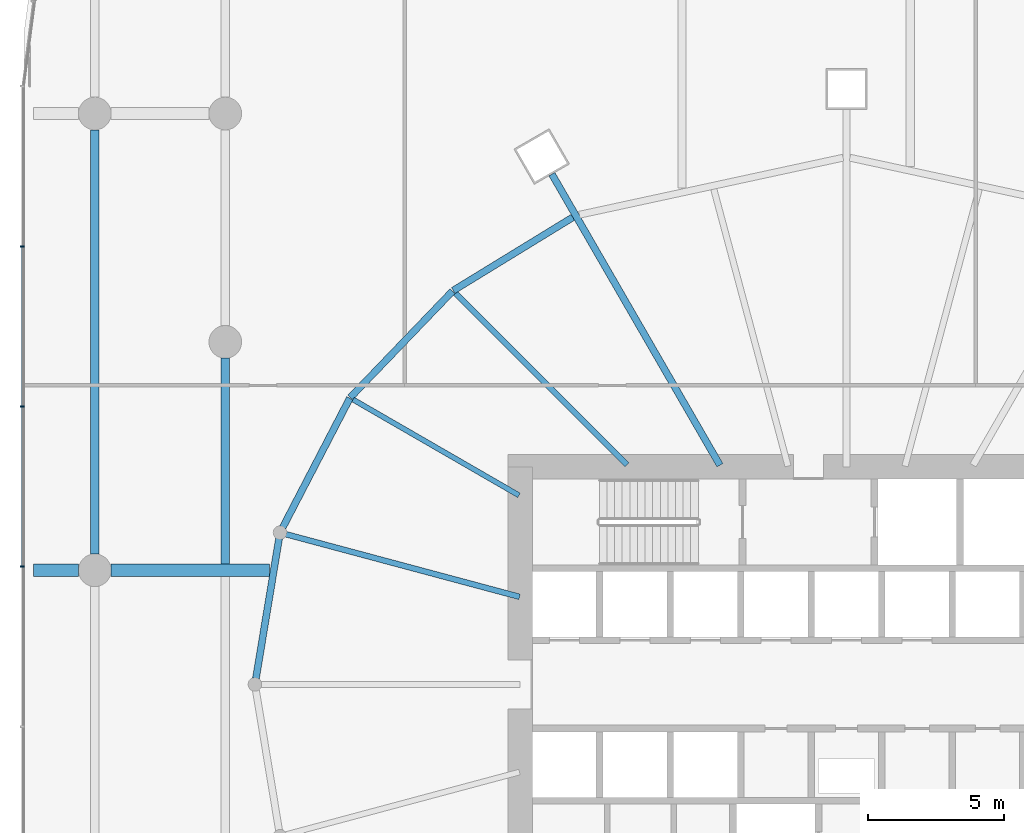
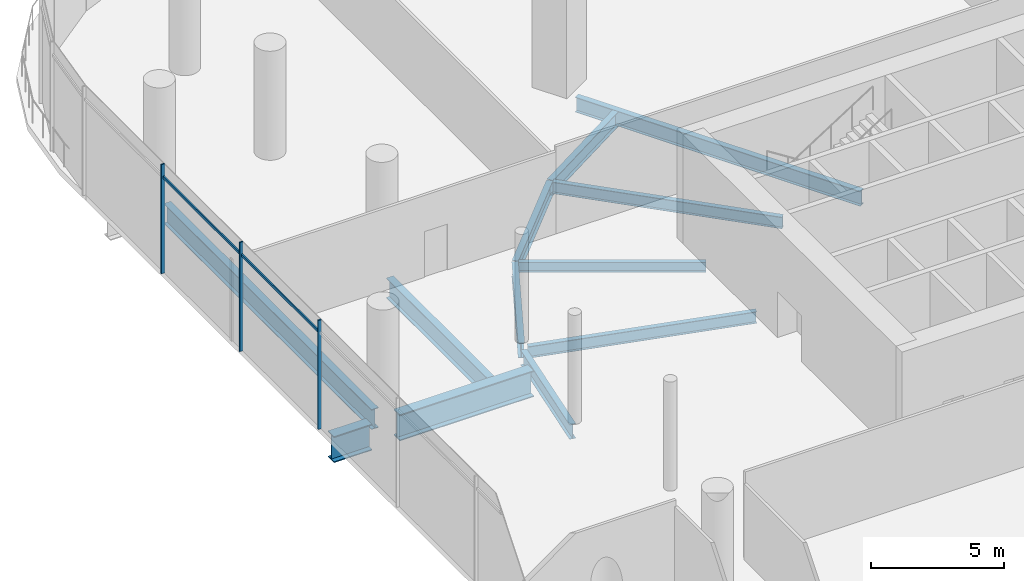
# One storey, part 11 of 51: 12 beams, 5 members, 1 element without a shape of its own.
"""IFC4 building model written with IfcOpenShell, lengths in metres."""

from ifc_helpers import new_model, si_unit, direction, frame, origin, origin_2d, place, context, subcontext, project, spatial, rectangle, i_section, extrude, material, material_profile, profile_set, type_object, element, aggregate, save


model = new_model("IFC4")

# Units and contexts
model_context = context("Model", 3, precision=1e-05, world=origin(), true_north=direction((0.0, 1.0)))
body_context = subcontext(model_context, "Body", "Model", "MODEL_VIEW")
ifc_project = project(units=[si_unit("LENGTHUNIT", "METRE"), si_unit("AREAUNIT", "SQUARE_METRE"), si_unit("VOLUMEUNIT", "CUBIC_METRE"), si_unit("PLANEANGLEUNIT", "RADIAN"), si_unit("MASSUNIT", "GRAM", prefix="KILO")], contexts=[model_context])

# Site, building, storey
site_placement = place(None, origin())
site = spatial("IfcSite", under=ifc_project, at=site_placement, CompositionType="ELEMENT")
building_placement = place(site_placement, origin())
building = spatial("IfcBuilding", under=site, at=building_placement, Name="Rimbun Link Towers", CompositionType="ELEMENT")
storey_placement = place(building_placement, frame((0.0, 0.0, 7.0)))
storey = spatial("IfcBuildingStorey", under=building, at=storey_placement, Name="L01", CompositionType="ELEMENT", Elevation=7.0)

# Curtain wall, members
ifc_material_1 = material(Name="Aluminium 6063-T6 and low-iron glass", Category="aluminium")
curtain_wall_type = type_object("IfcCurtainWallType", Name="CW3 podium shopfront", PredefinedType="NOTDEFINED", material=ifc_material_1)
curtain_wall_placement = place(storey_placement, origin())
curtain_wall = element("IfcCurtainWall", 1, at=curtain_wall_placement, inside=storey, type_object=curtain_wall_type, Name="CW3 L01 PD", PredefinedType="NOTDEFINED")
ifc_material_2 = material(Name="Aluminium 6063-T6", Category="aluminium")
ifc_material_profile_1 = material_profile(ifc_material_2, rectangle(XDim=0.14990234375, YDim=0.06005859375, at=origin_2d()), Name="MULLION 60X150")
ifc_profile_set_1 = profile_set([ifc_material_profile_1], Name="Aluminium 6063-T6")
member_type_1 = type_object("IfcMemberType", Name="CW3 mullion 60X150", PredefinedType="MULLION", material=ifc_profile_set_1)
member_1_placement = place(storey_placement, frame((-62.074951171875, 16.111083984375, 0.0), z_axis=(0.0, 0.0, 1.0), x_axis=(-1.0, 0.0, 0.0)))
member_1 = element("IfcMember", 2, at=member_1_placement, type_object=member_type_1, Name="CW3 mullion", PredefinedType="MULLION", context=body_context, shape_type="SweptSolid", body=[
    extrude(rectangle(XDim=0.14990234375, YDim=0.06005859375, at=origin_2d()), origin(), (0.0, 0.0, 1.0), 5.0),
])
member_2_placement = place(storey_placement, frame((-62.074951171875, 10.22216796875, 0.0), z_axis=(0.0, 0.0, 1.0), x_axis=(-1.0, 0.0, 0.0)))
member_2 = element("IfcMember", 3, at=member_2_placement, type_object=member_type_1, Name="CW3 mullion", PredefinedType="MULLION", context=body_context, shape_type="SweptSolid", body=[
    extrude(rectangle(XDim=0.14990234375, YDim=0.06005859375, at=origin_2d()), origin(), (0.0, 0.0, 1.0), 5.0),
])
member_3_placement = place(storey_placement, frame((-62.074951171875, 4.333251953125, 0.0), z_axis=(0.0, 0.0, 1.0), x_axis=(-1.0, 0.0, 0.0)))
member_3 = element("IfcMember", 4, at=member_3_placement, type_object=member_type_1, Name="CW3 mullion", PredefinedType="MULLION", context=body_context, shape_type="SweptSolid", body=[
    extrude(rectangle(XDim=0.14990234375, YDim=0.06005859375, at=origin_2d()), origin(), (0.0, 0.0, 1.0), 5.0),
])
ifc_material_3 = material(Name="Aluminium 6063-T6", Category="aluminium")
ifc_material_profile_2 = material_profile(ifc_material_3, rectangle(XDim=0.06005859375, YDim=0.1201171875, at=origin_2d()), Name="TRANSOM 60X120")
ifc_profile_set_2 = profile_set([ifc_material_profile_2], Name="Aluminium 6063-T6")
member_type_2 = type_object("IfcMemberType", Name="CW3 transom 60X120", PredefinedType="USERDEFINED", material=ifc_profile_set_2)
member_4_placement = place(storey_placement, frame((-62.053955078125, 10.252197265625, 4.39990234375), z_axis=(0.0, 1.0, 0.0), x_axis=(-1.0, 0.0, 0.0)))
member_4 = element("IfcMember", 5, at=member_4_placement, type_object=member_type_2, Name="CW3 transom", ObjectType="TRANSOM", PredefinedType="USERDEFINED", context=body_context, shape_type="SweptSolid", body=[
    extrude(rectangle(XDim=0.06005859375, YDim=0.1201171875, at=origin_2d()), origin(), (0.0, 0.0, 1.0), 5.828857421875),
])
member_5_placement = place(storey_placement, frame((-62.053955078125, 4.36328125, 4.39990234375), z_axis=(0.0, 1.0, 0.0), x_axis=(-1.0, 0.0, 0.0)))
member_5 = element("IfcMember", 6, at=member_5_placement, type_object=member_type_2, Name="CW3 transom", ObjectType="TRANSOM", PredefinedType="USERDEFINED", context=body_context, shape_type="SweptSolid", body=[
    extrude(rectangle(XDim=0.06005859375, YDim=0.1201171875, at=origin_2d()), origin(), (0.0, 0.0, 1.0), 5.828857421875),
])
aggregate(curtain_wall, [member_1, member_2, member_3, member_4, member_5])

# Beams
ifc_material_4 = material(Name="Steel S355J2", Category="steel")
ifc_material_profile_3 = material_profile(ifc_material_4, i_section(OverallWidth=0.449951171875, OverallDepth=1.199951171875, WebThickness=0.030029296875, FlangeThickness=0.044921875, at=origin_2d()), Name="PG 1200x450x30/45")
ifc_profile_set_3 = profile_set([ifc_material_profile_3], Name="Steel S355J2")
beam_type_1 = type_object("IfcBeamType", Name="PG 1200x450x30/45", PredefinedType="BEAM", material=ifc_profile_set_3)
beam_1_placement = place(storey_placement, frame((-61.649169921875, 4.199951171875, -0.89990234375), z_axis=(1.0, 0.0, 0.0), x_axis=(0.0, 1.0, 0.0)))
element("IfcBeam", 7, at=beam_1_placement, inside=storey, type_object=beam_type_1, Name="Grid beam L01 +4.2", PredefinedType="BEAM", context=body_context, shape_type="SweptSolid", body=[
    extrude(i_section(OverallWidth=0.449951171875, OverallDepth=1.199951171875, WebThickness=0.030029296875, FlangeThickness=0.044921875, at=origin_2d()), origin(), (0.0, 0.0, 1.0), 1.649169921875),
])
beam_2_placement = place(storey_placement, frame((-58.800048828125, 4.199951171875, -0.89990234375), z_axis=(1.0, 0.0, 0.0), x_axis=(0.0, 1.0, 0.0)))
element("IfcBeam", 8, at=beam_2_placement, inside=storey, type_object=beam_type_1, Name="Grid beam L01 +4.2", PredefinedType="BEAM", context=body_context, shape_type="SweptSolid", body=[
    extrude(i_section(OverallWidth=0.449951171875, OverallDepth=1.199951171875, WebThickness=0.030029296875, FlangeThickness=0.044921875, at=origin_2d()), origin(), (0.0, 0.0, 1.0), 5.818115234375),
])
ifc_material_5 = material(Name="Steel S355J2", Category="steel")
ifc_material_profile_4 = material_profile(ifc_material_5, i_section(OverallWidth=0.18994140625, OverallDepth=0.453369140625, WebThickness=0.008544921875, FlangeThickness=0.0126953125, at=origin_2d()), Name="UB 457x191x67")
ifc_profile_set_4 = profile_set([ifc_material_profile_4], Name="Steel S355J2")
beam_type_2 = type_object("IfcBeamType", Name="UB 457x191x67", PredefinedType="BEAM", material=ifc_profile_set_4)
beam_3_placement = place(storey_placement, frame((-43.79833984375, 6.9560546875, -0.526611328125), z_axis=(-0.866023453068, 0.500003378725, 0.0), x_axis=(-0.500003378725, -0.866023453068, 0.0)))
element("IfcBeam", 9, at=beam_3_placement, inside=storey, type_object=beam_type_2, Name="Radial beam T1 L01 10", PredefinedType="BEAM", context=body_context, shape_type="SweptSolid", body=[
    extrude(i_section(OverallWidth=0.18994140625, OverallDepth=0.453369140625, WebThickness=0.008544921875, FlangeThickness=0.0126953125, at=origin_2d()), origin(), (0.0, 0.0, 1.0), 7.04638671875),
])
ifc_material_6 = material(Name="Steel S355J2", Category="steel")
ifc_material_profile_5 = material_profile(ifc_material_6, i_section(OverallWidth=0.209228515625, OverallDepth=0.533203125, WebThickness=0.010009765625, FlangeThickness=0.015625, at=origin_2d()), Name="UB 533x210x92")
ifc_profile_set_5 = profile_set([ifc_material_profile_5], Name="Steel S355J2")
beam_type_3 = type_object("IfcBeamType", Name="UB 533x210x92", PredefinedType="BEAM", material=ifc_profile_set_5)
beam_4_placement = place(storey_placement, frame((-39.82470703125, 8.07470703125, -0.56640625), z_axis=(-0.707106781187, 0.707106781187, 0.0), x_axis=(-0.707106781187, -0.707106781187, 0.0)))
element("IfcBeam", 10, at=beam_4_placement, inside=storey, type_object=beam_type_3, Name="Radial beam T1 L01 09", PredefinedType="BEAM", context=body_context, shape_type="SweptSolid", body=[
    extrude(i_section(OverallWidth=0.209228515625, OverallDepth=0.533203125, WebThickness=0.010009765625, FlangeThickness=0.015625, at=origin_2d()), origin(), (0.0, 0.0, 1.0), 8.9287109375),
])
beam_5_placement = place(storey_placement, frame((-43.778076171875, 3.222900390625, -0.56640625), z_axis=(-0.965921441409, 0.258835409145, 0.0), x_axis=(-0.258835409145, -0.965921441409, 0.0)))
element("IfcBeam", 11, at=beam_5_placement, inside=storey, type_object=beam_type_3, Name="Radial beam T1 L01 11", PredefinedType="BEAM", context=body_context, shape_type="SweptSolid", body=[
    extrude(i_section(OverallWidth=0.209228515625, OverallDepth=0.533203125, WebThickness=0.010009765625, FlangeThickness=0.015625, at=origin_2d()), origin(), (0.0, 0.0, 1.0), 8.88720703125),
])
ifc_material_7 = material(Name="Steel S355J2", Category="steel")
ifc_material_profile_6 = material_profile(ifc_material_7, i_section(OverallWidth=0.253662109375, OverallDepth=0.68359375, WebThickness=0.012451171875, FlangeThickness=0.01904296875, at=origin_2d()), Name="UB 686x254x140")
ifc_profile_set_6 = profile_set([ifc_material_profile_6], Name="Steel S355J2")
beam_type_4 = type_object("IfcBeamType", Name="UB 686x254x140", PredefinedType="BEAM", material=ifc_profile_set_6)
beam_6_placement = place(storey_placement, frame((-36.406005859375, 8.064208984375, -0.641845703125), z_axis=(-0.499992594562, 0.866029679274, 0.0), x_axis=(-0.866029679274, -0.499992594562, 0.0)))
element("IfcBeam", 12, at=beam_6_placement, inside=storey, type_object=beam_type_4, Name="Radial beam T1 L01 08", PredefinedType="BEAM", context=body_context, shape_type="SweptSolid", body=[
    extrude(i_section(OverallWidth=0.253662109375, OverallDepth=0.68359375, WebThickness=0.012451171875, FlangeThickness=0.01904296875, at=origin_2d()), origin(), (0.0, 0.0, 1.0), 12.360595703125),
])
beam_7_placement = place(storey_placement, frame((-41.8203125, 17.179931640625, -0.641845703125), z_axis=(-0.852707458773, -0.522388734328, 0.0), x_axis=(0.522388734328, -0.852707458773, 0.0)))
element("IfcBeam", 13, at=beam_7_placement, inside=storey, type_object=beam_type_4, Name="Edge beam T1 L01 08", PredefinedType="BEAM", context=body_context, shape_type="SweptSolid", body=[
    extrude(i_section(OverallWidth=0.253662109375, OverallDepth=0.68359375, WebThickness=0.012451171875, FlangeThickness=0.01904296875, at=origin_2d()), origin(), (0.0, 0.0, 1.0), 5.153076171875),
])
beam_8_placement = place(storey_placement, frame((-46.240966796875, 14.466552734375, -0.641845703125), z_axis=(-0.692988130851, -0.720948992995, 0.0), x_axis=(0.720948992995, -0.692988130851, 0.0)))
element("IfcBeam", 14, at=beam_8_placement, inside=storey, type_object=beam_type_4, Name="Edge beam T1 L01 09", PredefinedType="BEAM", context=body_context, shape_type="SweptSolid", body=[
    extrude(i_section(OverallWidth=0.253662109375, OverallDepth=0.68359375, WebThickness=0.012451171875, FlangeThickness=0.01904296875, at=origin_2d()), origin(), (0.0, 0.0, 1.0), 5.42236328125),
])
beam_9_placement = place(storey_placement, frame((-50.020751953125, 10.5263671875, -0.641845703125), z_axis=(-0.460708800711, -0.887551351161, 0.0), x_axis=(0.887551351161, -0.460708800711, 0.0)))
element("IfcBeam", 15, at=beam_9_placement, inside=storey, type_object=beam_type_4, Name="Edge beam T1 L01 10", PredefinedType="BEAM", context=body_context, shape_type="SweptSolid", body=[
    extrude(i_section(OverallWidth=0.253662109375, OverallDepth=0.68359375, WebThickness=0.012451171875, FlangeThickness=0.01904296875, at=origin_2d()), origin(), (0.0, 0.0, 1.0), 5.34912109375),
])
beam_10_placement = place(storey_placement, frame((-52.62255859375, 5.365478515625, -0.641845703125), z_axis=(-0.163063422521, -0.986615588887, 0.0), x_axis=(0.986615588887, -0.163063422521, 0.0)))
element("IfcBeam", 16, at=beam_10_placement, inside=storey, type_object=beam_type_4, Name="Edge beam T1 L01 11", PredefinedType="BEAM", context=body_context, shape_type="SweptSolid", body=[
    extrude(i_section(OverallWidth=0.253662109375, OverallDepth=0.68359375, WebThickness=0.012451171875, FlangeThickness=0.01904296875, at=origin_2d()), origin(), (0.0, 0.0, 1.0), 5.2177734375),
])
ifc_material_8 = material(Name="Steel S355J2", Category="steel")
ifc_material_profile_7 = material_profile(ifc_material_8, i_section(OverallWidth=0.305419921875, OverallDepth=0.91845703125, WebThickness=0.017333984375, FlangeThickness=0.02783203125, at=origin_2d()), Name="UB 914x305x253")
ifc_profile_set_7 = profile_set([ifc_material_profile_7], Name="Steel S355J2")
beam_type_5 = type_object("IfcBeamType", Name="UB 914x305x253", PredefinedType="BEAM", material=ifc_profile_set_7)
beam_11_placement = place(storey_placement, frame((-59.39990234375, 4.800048828125, -0.75927734375), z_axis=(0.0, 1.0, 0.0), x_axis=(-1.0, 0.0, 0.0)))
element("IfcBeam", 17, at=beam_11_placement, inside=storey, type_object=beam_type_5, Name="Grid beam L01 -59.4", PredefinedType="BEAM", context=body_context, shape_type="SweptSolid", body=[
    extrude(i_section(OverallWidth=0.305419921875, OverallDepth=0.91845703125, WebThickness=0.017333984375, FlangeThickness=0.02783203125, at=origin_2d()), origin(), (0.0, 0.0, 1.0), 15.599853515625),
])
beam_12_placement = place(storey_placement, frame((-54.60009765625, 4.425048828125, -0.75927734375), z_axis=(0.0, 1.0, 0.0), x_axis=(-1.0, 0.0, 0.0)))
element("IfcBeam", 18, at=beam_12_placement, inside=storey, type_object=beam_type_5, Name="Grid beam L01 -54.6", PredefinedType="BEAM", context=body_context, shape_type="SweptSolid", body=[
    extrude(i_section(OverallWidth=0.305419921875, OverallDepth=0.91845703125, WebThickness=0.017333984375, FlangeThickness=0.02783203125, at=origin_2d()), origin(), (0.0, 0.0, 1.0), 7.574951171875),
])

save(model, "model.ifc")
